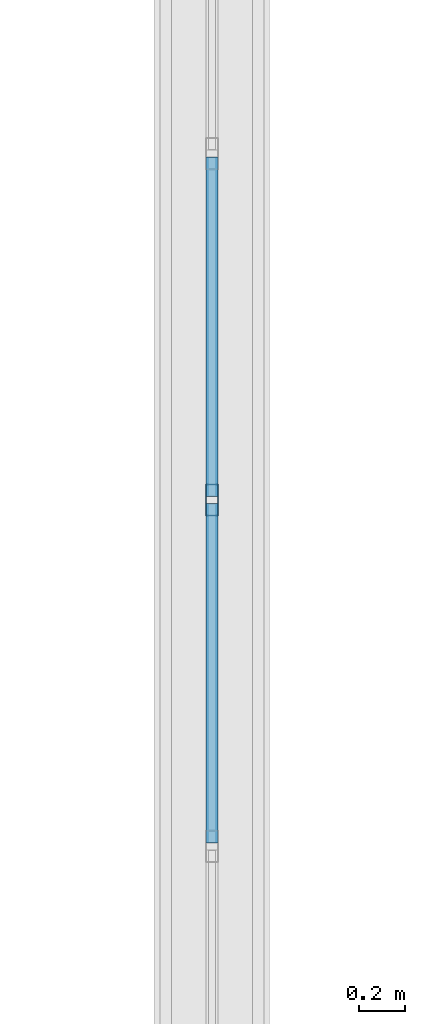
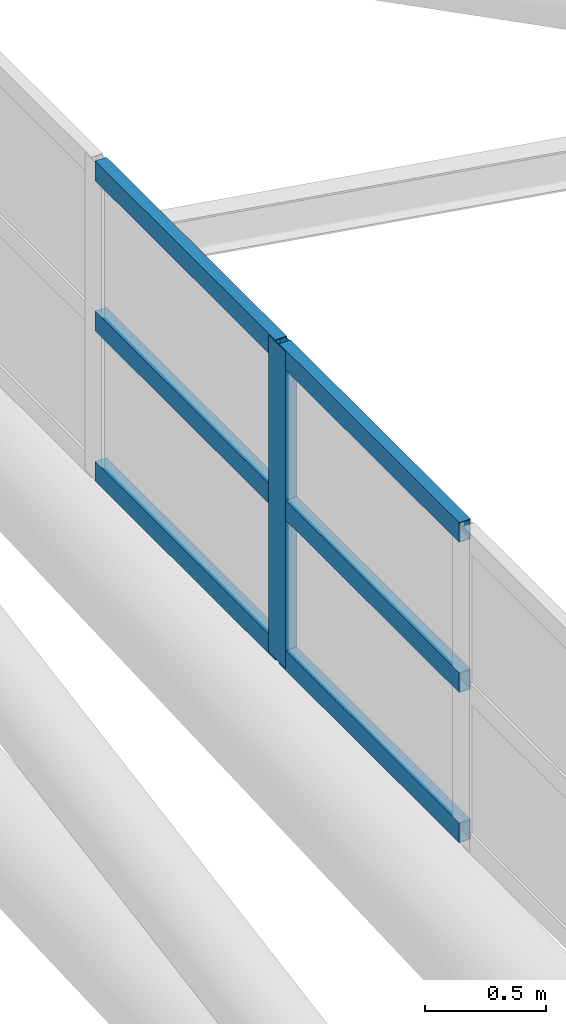
# One storey, part 146 of 397: 7 members, 1 element without a shape of its own.
"""IFC4 building model written with IfcOpenShell, lengths in metres."""

from ifc_helpers import new_model, si_unit, direction, frame, origin, origin_2d, place, context, subcontext, project, spatial, hollow_rectangle, extrude, material, material_profile, profile_set, type_object, element, aggregate, save


model = new_model("IFC4")

# Units and contexts
model_context = context("Model", 3, precision=1e-05, world=origin(), true_north=direction((0.0, 1.0)))
body_context = subcontext(model_context, "Body", "Model", "MODEL_VIEW")
ifc_project = project(units=[si_unit("LENGTHUNIT", "METRE"), si_unit("AREAUNIT", "SQUARE_METRE"), si_unit("VOLUMEUNIT", "CUBIC_METRE"), si_unit("PLANEANGLEUNIT", "RADIAN"), si_unit("MASSUNIT", "GRAM", prefix="KILO")], contexts=[model_context])

# Site, building, storey
site_placement = place(None, origin())
site = spatial("IfcSite", under=ifc_project, at=site_placement, CompositionType="ELEMENT")
building_placement = place(site_placement, origin())
building = spatial("IfcBuilding", under=site, at=building_placement, Name="Qandorah Velis Arena", CompositionType="ELEMENT")
storey_placement = place(building_placement, frame((0.0, 0.0, 27.5)))
storey = spatial("IfcBuildingStorey", under=building, at=storey_placement, Name="RF", CompositionType="ELEMENT", Elevation=27.5)

# Curtain wall, members
ifc_material_1 = material(Name="Solar-control low-E double glazing", Category="glass")
curtain_wall_type = type_object("IfcCurtainWallType", Name="ARC-CW-SYS12", PredefinedType="USERDEFINED", material=ifc_material_1)
curtain_wall_placement = place(storey_placement, origin())
curtain_wall = element("IfcCurtainWall", 1, at=curtain_wall_placement, inside=storey, type_object=curtain_wall_type, Name="Unitised curtain wall OCULUS-2-2", ObjectType="UNITISED CURTAIN WALL", PredefinedType="USERDEFINED")
ifc_material_2 = material(Name="Champagne-bronze anodized aluminium 6063-T6", Category="aluminium")
ifc_material_profile_1 = material_profile(ifc_material_2, hollow_rectangle(XDim=0.054931640625, YDim=0.139892578125, WallThickness=0.0029296875, at=origin_2d()), Name="ALU MULLION 55x140")
ifc_profile_set_1 = profile_set([ifc_material_profile_1], Name="Champagne-bronze anodized aluminium 6063-T6")
member_type_1 = type_object("IfcMemberType", Name="ARC-CWM-140", PredefinedType="MULLION", material=ifc_profile_set_1)
member_1_placement = place(storey_placement, frame((100.800048828125, 46.594482421875, 9.41259765625), z_axis=(0.0, 0.0, 1.0), x_axis=(-1.0, 0.0, 0.0)))
member_1 = element("IfcMember", 2, at=member_1_placement, type_object=member_type_1, Name="CW12 mullion 3", PredefinedType="MULLION", context=body_context, shape_type="SweptSolid", body=[
    extrude(hollow_rectangle(XDim=0.054931640625, YDim=0.139892578125, WallThickness=0.0029296875, at=origin_2d()), origin(), (0.0, 0.0, 1.0), 1.602294921875),
])
ifc_material_profile_2 = material_profile(ifc_material_2, hollow_rectangle(XDim=0.054931640625, YDim=0.10009765625, WallThickness=0.0029296875, at=origin_2d()), Name="ALU TRANSOM 55x100")
ifc_profile_set_2 = profile_set([ifc_material_profile_2], Name="Champagne-bronze anodized aluminium 6063-T6")
member_type_2 = type_object("IfcMemberType", Name="ARC-CWT-100", PredefinedType="USERDEFINED", material=ifc_profile_set_2)
member_2_placement = place(storey_placement, frame((100.800048828125, 45.087646484375, 9.455078125), z_axis=(0.0, 1.0, 0.0), x_axis=(-1.0, 0.0, 0.0)))
member_2 = element("IfcMember", 3, at=member_2_placement, type_object=member_type_2, Name="CW12 transom 2.1", ObjectType="TRANSOM", PredefinedType="USERDEFINED", context=body_context, shape_type="SweptSolid", body=[
    extrude(hollow_rectangle(XDim=0.054931640625, YDim=0.10009765625, WallThickness=0.0029296875, at=origin_2d()), origin(), (0.0, 0.0, 1.0), 1.4912109375),
])
member_3_placement = place(storey_placement, frame((100.800048828125, 45.087646484375, 10.2138671875), z_axis=(0.0, 1.0, 0.0), x_axis=(-1.0, 0.0, 0.0)))
member_3 = element("IfcMember", 4, at=member_3_placement, type_object=member_type_2, Name="CW12 transom 2.2", ObjectType="TRANSOM", PredefinedType="USERDEFINED", context=body_context, shape_type="SweptSolid", body=[
    extrude(hollow_rectangle(XDim=0.054931640625, YDim=0.10009765625, WallThickness=0.0029296875, at=origin_2d()), origin(), (0.0, 0.0, 1.0), 1.4912109375),
])
member_4_placement = place(storey_placement, frame((100.800048828125, 45.087646484375, 10.972412109375), z_axis=(0.0, 1.0, 0.0), x_axis=(-1.0, 0.0, 0.0)))
member_4 = element("IfcMember", 5, at=member_4_placement, type_object=member_type_2, Name="CW12 transom 2.3", ObjectType="TRANSOM", PredefinedType="USERDEFINED", context=body_context, shape_type="SweptSolid", body=[
    extrude(hollow_rectangle(XDim=0.054931640625, YDim=0.10009765625, WallThickness=0.0029296875, at=origin_2d()), origin(), (0.0, 0.0, 1.0), 1.4912109375),
])
member_5_placement = place(storey_placement, frame((100.800048828125, 46.60986328125, 9.455078125), z_axis=(0.0, 1.0, 0.0), x_axis=(-1.0, 0.0, 0.0)))
member_5 = element("IfcMember", 6, at=member_5_placement, type_object=member_type_2, Name="CW12 transom 3.1", ObjectType="TRANSOM", PredefinedType="USERDEFINED", context=body_context, shape_type="SweptSolid", body=[
    extrude(hollow_rectangle(XDim=0.054931640625, YDim=0.10009765625, WallThickness=0.0029296875, at=origin_2d()), origin(), (0.0, 0.0, 1.0), 1.491455078125),
])
member_6_placement = place(storey_placement, frame((100.800048828125, 46.60986328125, 10.2138671875), z_axis=(0.0, 1.0, 0.0), x_axis=(-1.0, 0.0, 0.0)))
member_6 = element("IfcMember", 7, at=member_6_placement, type_object=member_type_2, Name="CW12 transom 3.2", ObjectType="TRANSOM", PredefinedType="USERDEFINED", context=body_context, shape_type="SweptSolid", body=[
    extrude(hollow_rectangle(XDim=0.054931640625, YDim=0.10009765625, WallThickness=0.0029296875, at=origin_2d()), origin(), (0.0, 0.0, 1.0), 1.491455078125),
])
member_7_placement = place(storey_placement, frame((100.800048828125, 46.60986328125, 10.972412109375), z_axis=(0.0, 1.0, 0.0), x_axis=(-1.0, 0.0, 0.0)))
member_7 = element("IfcMember", 8, at=member_7_placement, type_object=member_type_2, Name="CW12 transom 3.3", ObjectType="TRANSOM", PredefinedType="USERDEFINED", context=body_context, shape_type="SweptSolid", body=[
    extrude(hollow_rectangle(XDim=0.054931640625, YDim=0.10009765625, WallThickness=0.0029296875, at=origin_2d()), origin(), (0.0, 0.0, 1.0), 1.491455078125),
])
aggregate(curtain_wall, [member_1, member_2, member_3, member_4, member_5, member_6, member_7])

save(model, "model.ifc")
